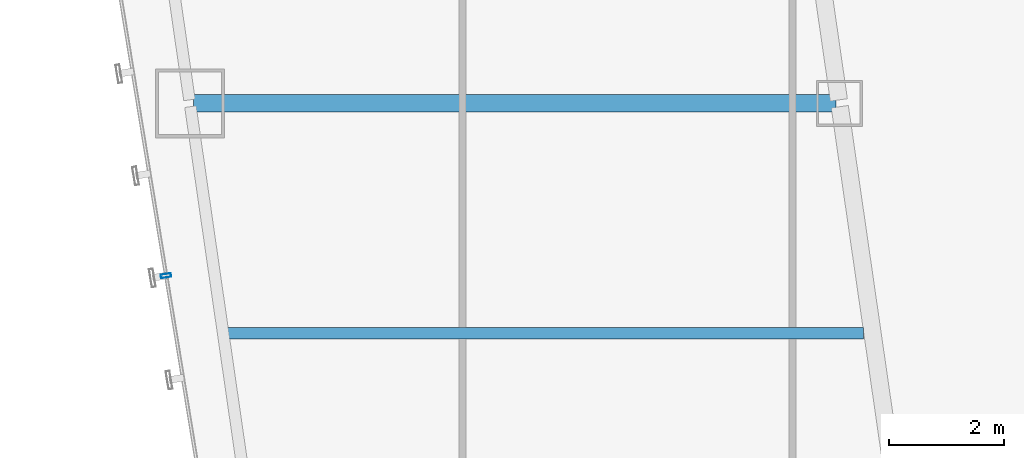
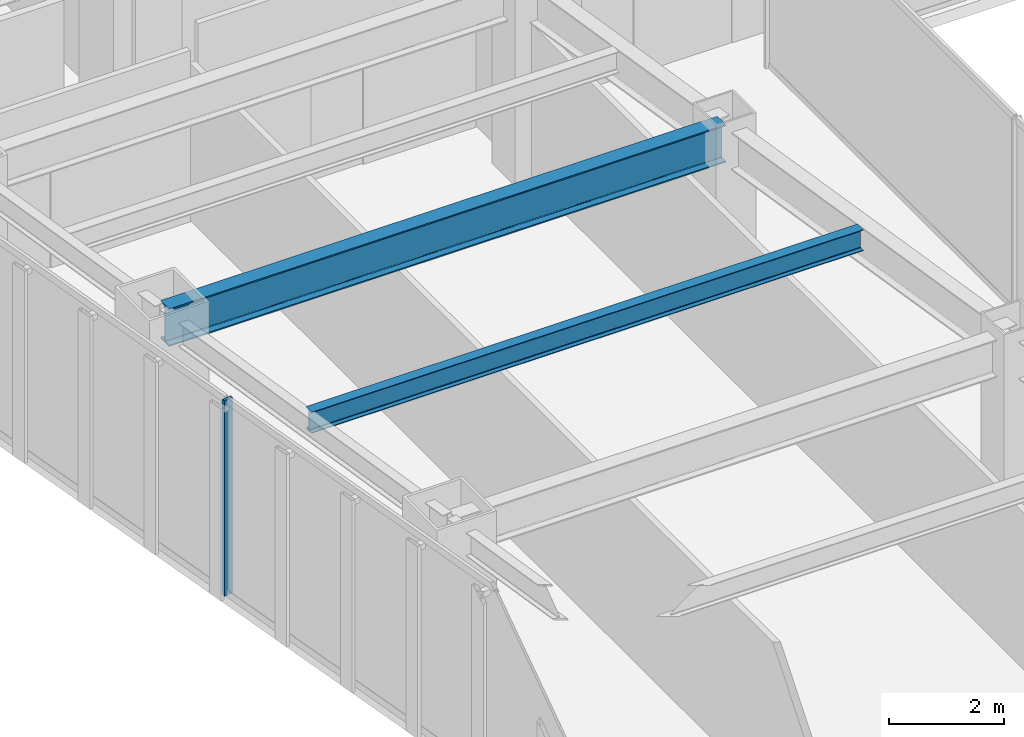
# One storey, part 11 of 47: 2 beams, 1 member, 1 element without a shape of its own.
"""IFC4 building model written with IfcOpenShell, lengths in metres."""

from ifc_helpers import new_model, si_unit, direction, frame, origin, origin_2d, place, context, subcontext, project, spatial, hollow_rectangle, i_section, extrude, material, material_profile, profile_set, type_object, element, aggregate, save


model = new_model("IFC4")

# Units and contexts
model_context = context("Model", 3, precision=1e-05, world=origin(), true_north=direction((0.0, 1.0)))
body_context = subcontext(model_context, "Body", "Model", "MODEL_VIEW")
ifc_project = project(units=[si_unit("LENGTHUNIT", "METRE"), si_unit("AREAUNIT", "SQUARE_METRE"), si_unit("VOLUMEUNIT", "CUBIC_METRE"), si_unit("PLANEANGLEUNIT", "RADIAN"), si_unit("MASSUNIT", "GRAM", prefix="KILO")], contexts=[model_context])

# Site, building, storey
site_placement = place(None, origin())
site = spatial("IfcSite", under=ifc_project, at=site_placement, CompositionType="ELEMENT")
building_placement = place(site_placement, origin())
building = spatial("IfcBuilding", under=site, at=building_placement, Name="Saevonmaru Cultural Tower", CompositionType="ELEMENT")
storey_placement = place(building_placement, frame((0.0, 0.0, 47.199951171875)))
storey = spatial("IfcBuildingStorey", under=building, at=storey_placement, Name="L09", CompositionType="ELEMENT", Elevation=47.199951171875)

# Beams
ifc_material_1 = material(Name="Steel SM420", Category="steel")
ifc_material_profile_1 = material_profile(ifc_material_1, i_section(OverallWidth=0.300048828125, OverallDepth=0.800048828125, WebThickness=0.013916015625, FlangeThickness=0.02587890625, FilletRadius=0.028076171875, at=origin_2d()), Name="H-800x300x14x26")
ifc_profile_set_1 = profile_set([ifc_material_profile_1], Name="Steel SM420")
beam_type_1 = type_object("IfcBeamType", Name="BM-G-H800", PredefinedType="BEAM", material=ifc_profile_set_1)
beam_1_placement = place(storey_placement, frame((8.376953125, 32.0, 3.75), z_axis=(1.0, 0.0, 0.0), x_axis=(0.0, 1.0, 0.0)))
element("IfcBeam", 1, at=beam_1_placement, inside=storey, type_object=beam_type_1, Name="L09 West Wing Transverse Girder 5", PredefinedType="BEAM", context=body_context, shape_type="SweptSolid", body=[
    extrude(i_section(OverallWidth=0.300048828125, OverallDepth=0.800048828125, WebThickness=0.013916015625, FlangeThickness=0.02587890625, FilletRadius=0.028076171875, at=origin_2d()), origin(), (0.0, 0.0, 1.0), 11.179931640625),
])
ifc_material_2 = material(Name="Steel SM355", Category="steel")
ifc_material_profile_2 = material_profile(ifc_material_2, i_section(OverallWidth=0.199951171875, OverallDepth=0.449951171875, WebThickness=0.009033203125, FlangeThickness=0.013916015625, FilletRadius=0.01806640625, at=origin_2d()), Name="H-450x200x9x14")
ifc_profile_set_2 = profile_set([ifc_material_profile_2], Name="Steel SM355")
beam_type_2 = type_object("IfcBeamType", Name="BM-J-H450", PredefinedType="JOIST", material=ifc_profile_set_2)
beam_2_placement = place(storey_placement, frame((8.95458984375, 28.0, 3.925048828125), z_axis=(1.0, 0.0, 0.0), x_axis=(0.0, 1.0, 0.0)))
element("IfcBeam", 2, at=beam_2_placement, inside=storey, type_object=beam_type_2, Name="L09 West Wing Floor Joist 4", PredefinedType="JOIST", context=body_context, shape_type="SweptSolid", body=[
    extrude(i_section(OverallWidth=0.199951171875, OverallDepth=0.449951171875, WebThickness=0.009033203125, FlangeThickness=0.013916015625, FilletRadius=0.01806640625, at=origin_2d()), origin(), (0.0, 0.0, 1.0), 11.08203125),
])

# Curtain wall, member
ifc_material_3 = material(Name="Satin Bronze Anodised Aluminium", Category="aluminium")
curtain_wall_type = type_object("IfcCurtainWallType", Name="CW-TYP-A", PredefinedType="NOTDEFINED", material=ifc_material_3)
curtain_wall_placement = place(storey_placement, origin())
curtain_wall = element("IfcCurtainWall", 3, at=curtain_wall_placement, inside=storey, type_object=curtain_wall_type, Name="L09 Unitised Curtain Wall E12", PredefinedType="NOTDEFINED")
ifc_material_profile_3 = material_profile(ifc_material_3, hollow_rectangle(XDim=0.06494140625, YDim=0.179931640625, WallThickness=0.00390625, at=origin_2d()), Name="ALU-MULL-180x65x4")
ifc_profile_set_3 = profile_set([ifc_material_profile_3], Name="Satin Bronze Anodised Aluminium")
member_type = type_object("IfcMemberType", Name="ML-CW-180x65", PredefinedType="MULLION", material=ifc_profile_set_3)
member_placement = place(storey_placement, frame((7.89990234375, 29.0, 0.0), z_axis=(0.0, 0.0, 1.0), x_axis=(0.161708868641, -0.986838508472, 0.0)))
member = element("IfcMember", 4, at=member_placement, type_object=member_type, Name="CW-TW-L09-E12 mullion 3", PredefinedType="MULLION", context=body_context, shape_type="SweptSolid", body=[
    extrude(hollow_rectangle(XDim=0.06494140625, YDim=0.179931640625, WallThickness=0.00390625, at=origin_2d()), origin(), (0.0, 0.0, 1.0), 4.150146484375),
])
aggregate(curtain_wall, [member])

save(model, "model.ifc")
